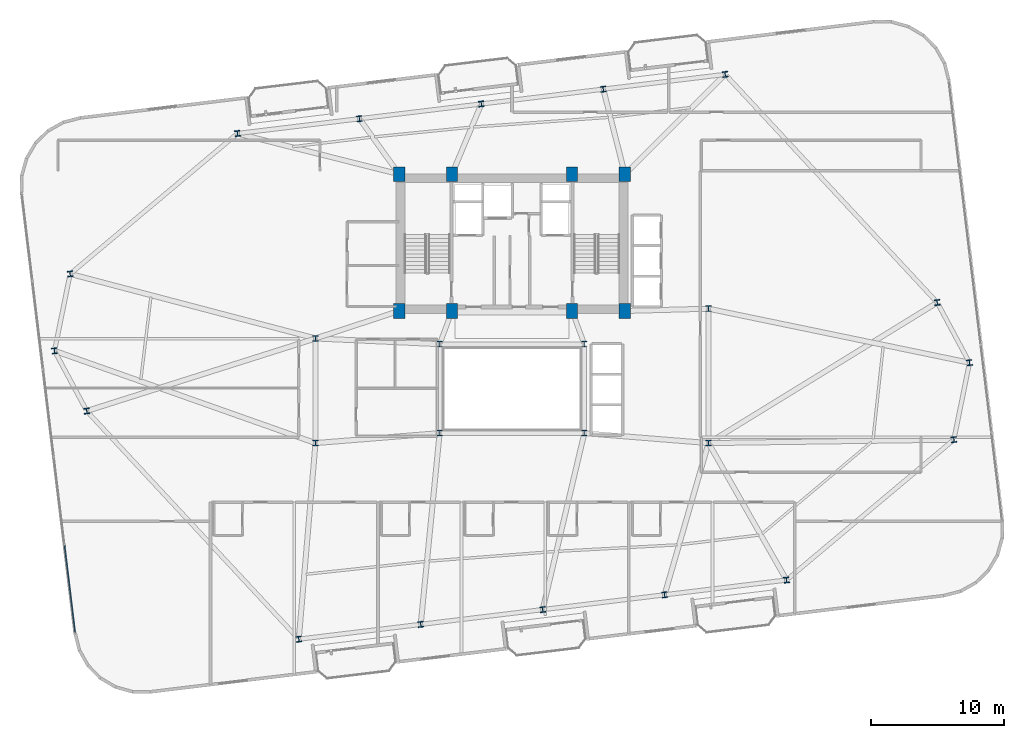
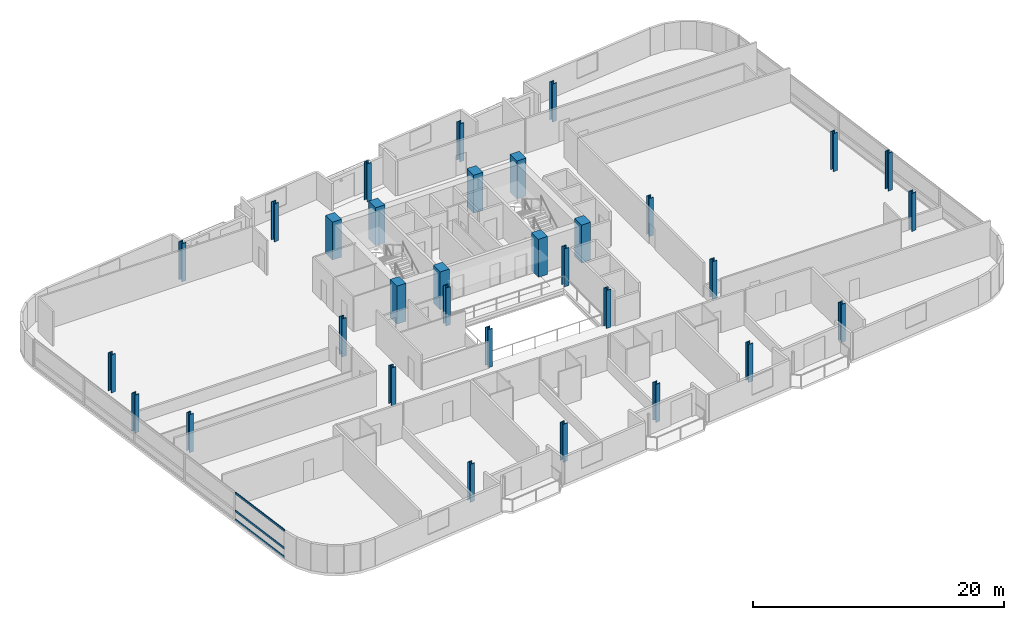
# One storey, part 1 of 22: 32 columns, 3 members, 1 element without a shape of its own.
"""IFC4 building model written with IfcOpenShell, lengths in metres."""

from ifc_helpers import new_model, si_unit, direction, frame, origin, origin_2d, place, context, subcontext, project, spatial, rectangle, hollow_rectangle, i_section, extrude, material, layer, layer_set, material_profile, profile_set, type_object, element, aggregate, save


model = new_model("IFC4")

# Units and contexts
model_context = context("Model", 3, precision=1e-05, world=origin(), true_north=direction((0.0, 1.0)))
body_context = subcontext(model_context, "Body", "Model", "MODEL_VIEW")
ifc_project = project(units=[si_unit("LENGTHUNIT", "METRE"), si_unit("AREAUNIT", "SQUARE_METRE"), si_unit("VOLUMEUNIT", "CUBIC_METRE"), si_unit("PLANEANGLEUNIT", "RADIAN"), si_unit("MASSUNIT", "GRAM", prefix="KILO")], contexts=[model_context])

# Site, building, storey
site_placement = place(None, origin())
site = spatial("IfcSite", under=ifc_project, at=site_placement, CompositionType="ELEMENT")
building_placement = place(site_placement, origin())
building = spatial("IfcBuilding", under=site, at=building_placement, Name="Varnelok Gate Tower", CompositionType="ELEMENT")
storey_placement = place(building_placement, frame((0.0, 0.0, 204.199951171875)))
storey = spatial("IfcBuildingStorey", under=building, at=storey_placement, Name="L52", CompositionType="ELEMENT", Elevation=204.199951171875)

# Columns
ifc_material_1 = material(Name="Concrete C60/75", Category="concrete")
ifc_material_profile_1 = material_profile(ifc_material_1, rectangle(XDim=0.85009765625, YDim=1.10009765625, at=origin_2d()), Name="RC1100X850")
ifc_profile_set_1 = profile_set([ifc_material_profile_1], Name="Concrete C60/75")
column_type_1 = type_object("IfcColumnType", Name="COL-RC1100X850", PredefinedType="COLUMN", material=ifc_profile_set_1)
for number, where, z_axis, x_axis, name in (
    (1, (30.699951171875, 28.75, 0.0), (0.0, 0.0, 1.0), (1.0, 0.0, 0.0), "L52 Core Spine Column SC1"),
    (2, (34.679931640625, 28.75, 0.0), (0.0, 0.0, 1.0), (1.0, 0.0, 0.0), "L52 Core Spine Column SC2"),
    (3, (43.719970703125, 28.75, 0.0), (0.0, 0.0, 1.0), (1.0, 0.0, 0.0), "L52 Core Spine Column SC3"),
    (4, (47.699951171875, 28.75, 0.0), (0.0, 0.0, 1.0), (1.0, 0.0, 0.0), "L52 Core Spine Column SC4"),
    (5, (30.699951171875, 39.050048828125, 0.0), (0.0, 0.0, 1.0), (1.0, 0.0, 0.0), "L52 Core Spine Column SC5"),
    (6, (34.679931640625, 39.050048828125, 0.0), (0.0, 0.0, 1.0), (1.0, 0.0, 0.0), "L52 Core Spine Column SC6"),
    (7, (43.719970703125, 39.050048828125, 0.0), (0.0, 0.0, 1.0), (1.0, 0.0, 0.0), "L52 Core Spine Column SC7"),
    (8, (47.699951171875, 39.050048828125, 0.0), (0.0, 0.0, 1.0), (1.0, 0.0, 0.0), "L52 Core Spine Column SC8"),
):
    element("IfcColumn", number, at=place(storey_placement, frame(where, z_axis=z_axis, x_axis=x_axis)), inside=storey, type_object=column_type_1, Name=name, PredefinedType="COLUMN", context=body_context, shape_type="SweptSolid", body=[
        extrude(rectangle(XDim=0.85009765625, YDim=1.10009765625, at=origin_2d()), origin(), (0.0, 0.0, 1.0), 3.699951171875),
    ])
ifc_material_2 = material(Name="Structural Steel ASTM A992 Grade 50", Category="steel")
ifc_material_profile_2 = material_profile(ifc_material_2, i_section(OverallWidth=0.412109375, OverallDepth=0.43505859375, WebThickness=0.035888671875, FlangeThickness=0.057373046875, FilletRadius=0.02490234375, at=origin_2d()), Name="W14X311")
ifc_profile_set_2 = profile_set([ifc_material_profile_2], Name="Structural Steel ASTM A992 Grade 50")
column_type_2 = type_object("IfcColumnType", Name="COL-W14X311", PredefinedType="COLUMN", material=ifc_profile_set_2)
for number, where, z_axis, x_axis, name in (
    (9, (23.142578125, 4.032958984375, 0.0), (0.0, 0.0, 1.0), (0.992732158755, 0.12034475881, 0.0), "L52 B4 Perimeter Column PC01"),
    (10, (32.325439453125, 5.146240234375, 0.0), (0.0, 0.0, 1.0), (0.992732158755, 0.12034475881, 0.0), "L52 B4 Perimeter Column PC02"),
    (11, (41.50830078125, 6.259521484375, 0.0), (0.0, 0.0, 1.0), (0.992732158755, 0.12034475881, 0.0), "L52 B4 Perimeter Column PC03"),
    (12, (50.69091796875, 7.37255859375, 0.0), (0.0, 0.0, 1.0), (0.992732158755, 0.12034475881, 0.0), "L52 B4 Perimeter Column PC04"),
    (13, (59.873779296875, 8.48583984375, 0.0), (0.0, 0.0, 1.0), (0.992732158755, 0.12034475881, 0.0), "L52 B4 Perimeter Column PC05"),
    (14, (72.476806640625, 19.059326171875, 0.0), (0.0, 0.0, 1.0), (0.992732158755, 0.12034475881, 0.0), "L52 B4 Perimeter Column PC06"),
    (15, (73.654296875, 24.85302734375, 0.0), (0.0, 0.0, 1.0), (0.992732158755, 0.12034475881, 0.0), "L52 B4 Perimeter Column PC07"),
    (16, (71.225341796875, 29.3837890625, 0.0), (0.0, 0.0, 1.0), (0.992732158755, 0.12034475881, 0.0), "L52 B4 Perimeter Column PC08"),
    (17, (55.25732421875, 46.56689453125, 0.0), (0.0, 0.0, 1.0), (0.992732158755, 0.12034475881, 0.0), "L52 B4 Perimeter Column PC09"),
    (18, (46.07470703125, 45.453857421875, 0.0), (0.0, 0.0, 1.0), (0.992732158755, 0.12034475881, 0.0), "L52 B4 Perimeter Column PC10"),
    (19, (36.891845703125, 44.340576171875, 0.0), (0.0, 0.0, 1.0), (0.992732158755, 0.12034475881, 0.0), "L52 B4 Perimeter Column PC11"),
    (20, (27.708984375, 43.227294921875, 0.0), (0.0, 0.0, 1.0), (0.992732158755, 0.12034475881, 0.0), "L52 B4 Perimeter Column PC12"),
    (21, (18.526123046875, 42.1142578125, 0.0), (0.0, 0.0, 1.0), (0.992732158755, 0.12034475881, 0.0), "L52 B4 Perimeter Column PC13"),
    (22, (5.923095703125, 31.540771484375, 0.0), (0.0, 0.0, 1.0), (0.992732158755, 0.12034475881, 0.0), "L52 B4 Perimeter Column PC14"),
    (23, (4.745849609375, 25.746826171875, 0.0), (0.0, 0.0, 1.0), (0.992732158755, 0.12034475881, 0.0), "L52 B4 Perimeter Column PC15"),
    (24, (7.1748046875, 21.21630859375, 0.0), (0.0, 0.0, 1.0), (0.992732158755, 0.12034475881, 0.0), "L52 B4 Perimeter Column PC16"),
):
    element("IfcColumn", number, at=place(storey_placement, frame(where, z_axis=z_axis, x_axis=x_axis)), inside=storey, type_object=column_type_2, Name=name, PredefinedType="COLUMN", context=body_context, shape_type="SweptSolid", body=[
        extrude(i_section(OverallWidth=0.412109375, OverallDepth=0.43505859375, WebThickness=0.035888671875, FlangeThickness=0.057373046875, FilletRadius=0.02490234375, at=origin_2d()), origin(), (0.0, 0.0, 1.0), 3.699951171875),
    ])
ifc_material_profile_3 = material_profile(ifc_material_2, i_section(OverallWidth=0.41796875, OverallDepth=0.455078125, WebThickness=0.0419921875, FlangeThickness=0.067626953125, FilletRadius=0.02490234375, at=origin_2d()), Name="W14X370")
ifc_profile_set_3 = profile_set([ifc_material_profile_3], Name="Structural Steel ASTM A992 Grade 50")
column_type_3 = type_object("IfcColumnType", Name="COL-W14X370", PredefinedType="COLUMN", material=ifc_profile_set_3)
for number, where, z_axis, x_axis, name in (
    (25, (33.75, 19.550048828125, 0.0), (0.0, 0.0, 1.0), (1.0, 0.0, 0.0), "L52 Atrium Spine Column AC1"),
    (26, (44.64990234375, 19.550048828125, 0.0), (0.0, 0.0, 1.0), (1.0, 0.0, 0.0), "L52 Atrium Spine Column AC2"),
    (27, (33.75, 26.25, 0.0), (0.0, 0.0, 1.0), (1.0, 0.0, 0.0), "L52 Atrium Spine Column AC3"),
    (28, (44.64990234375, 26.25, 0.0), (0.0, 0.0, 1.0), (1.0, 0.0, 0.0), "L52 Atrium Spine Column AC4"),
    (29, (24.39990234375, 18.800048828125, 0.0), (0.0, 0.0, 1.0), (1.0, 0.0, 0.0), "L52 Wing Spine Column WS1"),
    (30, (24.39990234375, 26.679931640625, 0.0), (0.0, 0.0, 1.0), (1.0, 0.0, 0.0), "L52 Wing Spine Column WS2"),
    (31, (54.0, 18.800048828125, 0.0), (0.0, 0.0, 1.0), (1.0, 0.0, 0.0), "L52 Wing Spine Column ES1"),
    (32, (54.0, 28.919921875, 0.0), (0.0, 0.0, 1.0), (1.0, 0.0, 0.0), "L52 Wing Spine Column ES2"),
):
    element("IfcColumn", number, at=place(storey_placement, frame(where, z_axis=z_axis, x_axis=x_axis)), inside=storey, type_object=column_type_3, Name=name, PredefinedType="COLUMN", context=body_context, shape_type="SweptSolid", body=[
        extrude(i_section(OverallWidth=0.41796875, OverallDepth=0.455078125, WebThickness=0.0419921875, FlangeThickness=0.067626953125, FilletRadius=0.02490234375, at=origin_2d()), origin(), (0.0, 0.0, 1.0), 3.699951171875),
    ])

# Curtain wall, members
ifc_material_3 = material(Name="Anodized Aluminum Alloy 6063-T6", Category="aluminium")
ifc_layer = layer(ifc_material_3, 0.179931640625)
ifc_layer_set = layer_set([ifc_layer], Name="Anodized Aluminum Alloy 6063-T6")
curtain_wall_type = type_object("IfcCurtainWallType", Name="CW4-RESIDENCE-VISION", PredefinedType="USERDEFINED", material=ifc_layer_set)
curtain_wall_placement = place(storey_placement, origin())
curtain_wall = element("IfcCurtainWall", 33, at=curtain_wall_placement, inside=storey, type_object=curtain_wall_type, Name="L52 West End Vision Curtain Wall", ObjectType="UNITISED CURTAIN WALL", PredefinedType="USERDEFINED")
ifc_material_profile_4 = material_profile(ifc_material_3, hollow_rectangle(XDim=0.074951171875, YDim=0.199951171875, WallThickness=0.00390625, at=origin_2d()), Name="ALU200X75X4")
ifc_profile_set_4 = profile_set([ifc_material_profile_4], Name="Anodized Aluminum Alloy 6063-T6")
member_type = type_object("IfcMemberType", Name="CW-TRAN-200", PredefinedType="USERDEFINED", material=ifc_profile_set_4)
member_1_placement = place(storey_placement, frame((6.29638671875, 4.564453125, 0.03759765625), z_axis=(-0.120369113246, 0.992729206066, 0.0), x_axis=(-0.992729206066, -0.120369113246, 0.0)))
member_1 = element("IfcMember", 34, at=member_1_placement, type_object=member_type, Name="CW4 transom 1.1", ObjectType="TRANSOM", PredefinedType="USERDEFINED", context=body_context, shape_type="SweptSolid", body=[
    extrude(hollow_rectangle(XDim=0.074951171875, YDim=0.199951171875, WallThickness=0.00390625, at=origin_2d()), origin(), (0.0, 0.0, 1.0), 6.567626953125),
])
member_2_placement = place(storey_placement, frame((6.29638671875, 4.564453125, 0.900146484375), z_axis=(-0.120369113246, 0.992729206066, 0.0), x_axis=(-0.992729206066, -0.120369113246, 0.0)))
member_2 = element("IfcMember", 35, at=member_2_placement, type_object=member_type, Name="CW4 transom 1.2", ObjectType="TRANSOM", PredefinedType="USERDEFINED", context=body_context, shape_type="SweptSolid", body=[
    extrude(hollow_rectangle(XDim=0.074951171875, YDim=0.199951171875, WallThickness=0.00390625, at=origin_2d()), origin(), (0.0, 0.0, 1.0), 6.567626953125),
])
member_3_placement = place(storey_placement, frame((6.29638671875, 4.564453125, 2.62255859375), z_axis=(-0.120369113246, 0.992729206066, 0.0), x_axis=(-0.992729206066, -0.120369113246, 0.0)))
member_3 = element("IfcMember", 36, at=member_3_placement, type_object=member_type, Name="CW4 transom 1.3", ObjectType="TRANSOM", PredefinedType="USERDEFINED", context=body_context, shape_type="SweptSolid", body=[
    extrude(hollow_rectangle(XDim=0.074951171875, YDim=0.199951171875, WallThickness=0.00390625, at=origin_2d()), origin(), (0.0, 0.0, 1.0), 6.567626953125),
])
aggregate(curtain_wall, [member_1, member_2, member_3])

save(model, "model.ifc")
